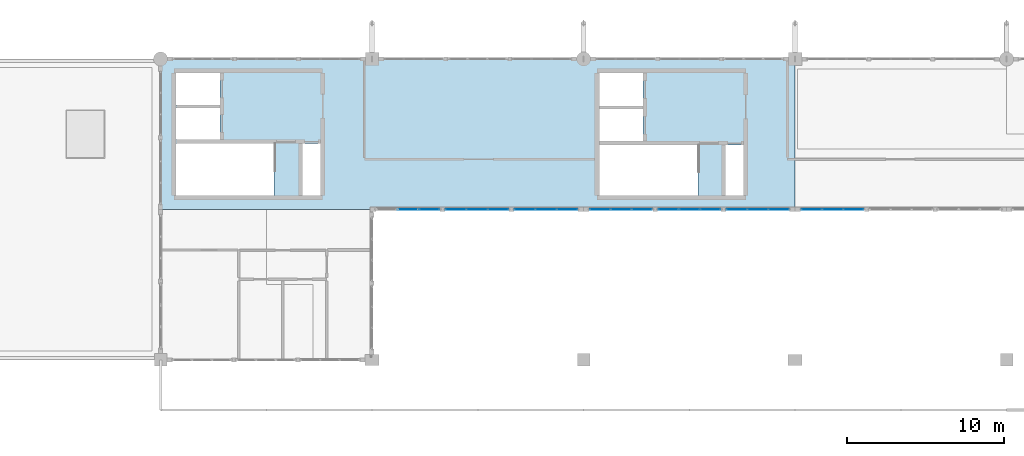
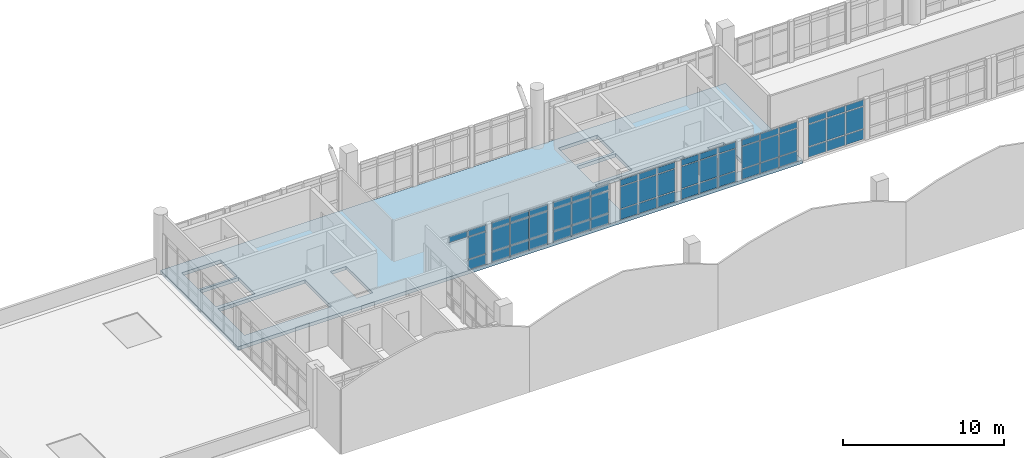
# One storey, part 25 of 37: 58 plates, 1 slab, 7 elements without a shape of their own.
"""IFC4 building model written with IfcOpenShell, lengths in metres."""

from ifc_helpers import new_model, si_unit, direction, frame, origin, origin_2d, place, context, subcontext, project, spatial, polyline, rectangle, outline, extrude, material, layer, layer_set, type_object, element, aggregate, save


model = new_model("IFC4")

# Units and contexts
model_context = context("Model", 3, precision=1e-05, world=origin(), true_north=direction((0.0, 1.0)))
body_context = subcontext(model_context, "Body", "Model", "MODEL_VIEW")
ifc_project = project(units=[si_unit("LENGTHUNIT", "METRE"), si_unit("AREAUNIT", "SQUARE_METRE"), si_unit("VOLUMEUNIT", "CUBIC_METRE"), si_unit("PLANEANGLEUNIT", "RADIAN"), si_unit("MASSUNIT", "GRAM", prefix="KILO")], contexts=[model_context])

# Site, building, storey
site_placement = place(None, origin())
site = spatial("IfcSite", under=ifc_project, at=site_placement, CompositionType="ELEMENT")
building_placement = place(site_placement, origin())
building = spatial("IfcBuilding", under=site, at=building_placement, Name="Fikremerkos Civic Library", CompositionType="ELEMENT")
storey_placement = place(building_placement, frame((0.0, 0.0, 23.39990234375)))
storey = spatial("IfcBuildingStorey", under=building, at=storey_placement, Name="L05", CompositionType="ELEMENT", Elevation=23.39990234375)

# Curtain wall, plates
ifc_material_1 = material(Name="Anodized aluminium Frame", Category="aluminium")
ifc_layer_1 = layer(ifc_material_1, 0.159912109375, Name="Anodized aluminium Frame")
ifc_layer_set_1 = layer_set([ifc_layer_1], Name="Anodized aluminium Frame")
curtain_wall_type_1 = type_object("IfcCurtainWallType", Name="Unitised curtain wall CW-05 3800x4100", PredefinedType="USERDEFINED", material=ifc_layer_set_1)
curtain_wall_1_placement = place(storey_placement, origin())
curtain_wall_1 = element("IfcCurtainWall", 1, at=curtain_wall_1_placement, inside=storey, type_object=curtain_wall_type_1, Name="Unitised curtain wall CW-05 L05 #293", ObjectType="UNITISED CURTAIN WALL", PredefinedType="USERDEFINED")
ifc_material_2 = material(Name="Solar control double glazing", Category="glass")
ifc_layer_2 = layer(ifc_material_2, 0.028076171875, Name="Solar control double glazing")
ifc_layer_set_2 = layer_set([ifc_layer_2], Name="Solar control double glazing")
plate_type_1 = type_object("IfcPlateType", Name="Curtain glazing panel CWP-01 28", PredefinedType="CURTAIN_PANEL", material=ifc_layer_set_2)
plate_1_placement = place(storey_placement, frame((54.288818359375, 21.60009765625, 0.06005859375), z_axis=(0.0, 0.0, 1.0), x_axis=(-1.0, 0.0, 0.0)))
plate_1 = element("IfcPlate", 2, at=plate_1_placement, type_object=plate_type_1, Name="CW-05 panel 1.1", PredefinedType="CURTAIN_PANEL", context=body_context, shape_type="SweptSolid", body=[
    extrude(rectangle(XDim=1.257568359375, YDim=0.028076171875, at=origin_2d()), origin(), (0.0, 0.0, 1.0), 0.760009765625),
])
plate_2_placement = place(storey_placement, frame((54.288818359375, 21.60009765625, 0.88037109375), z_axis=(0.0, 0.0, 1.0), x_axis=(-1.0, 0.0, 0.0)))
plate_2 = element("IfcPlate", 3, at=plate_2_placement, type_object=plate_type_1, Name="CW-05 panel 1.2", PredefinedType="CURTAIN_PANEL", context=body_context, shape_type="SweptSolid", body=[
    extrude(rectangle(XDim=1.257568359375, YDim=0.028076171875, at=origin_2d()), origin(), (0.0, 0.0, 1.0), 1.659912109375),
])
plate_3_placement = place(storey_placement, frame((54.288818359375, 21.60009765625, 2.60009765625), z_axis=(0.0, 0.0, 1.0), x_axis=(-1.0, 0.0, 0.0)))
plate_3 = element("IfcPlate", 4, at=plate_3_placement, type_object=plate_type_1, Name="CW-05 panel 1.3", PredefinedType="CURTAIN_PANEL", context=body_context, shape_type="SweptSolid", body=[
    extrude(rectangle(XDim=1.257568359375, YDim=0.028076171875, at=origin_2d()), origin(), (0.0, 0.0, 1.0), 0.4599609375),
])
plate_4_placement = place(storey_placement, frame((52.949951171875, 21.60009765625, 0.06005859375), z_axis=(0.0, 0.0, 1.0), x_axis=(-1.0, 0.0, 0.0)))
plate_4 = element("IfcPlate", 5, at=plate_4_placement, type_object=plate_type_1, Name="CW-05 panel 2.1", PredefinedType="CURTAIN_PANEL", context=body_context, shape_type="SweptSolid", body=[
    extrude(rectangle(XDim=1.2900390625, YDim=0.028076171875, at=origin_2d()), origin(), (0.0, 0.0, 1.0), 0.760009765625),
])
plate_5_placement = place(storey_placement, frame((52.949951171875, 21.60009765625, 0.88037109375), z_axis=(0.0, 0.0, 1.0), x_axis=(-1.0, 0.0, 0.0)))
plate_5 = element("IfcPlate", 6, at=plate_5_placement, type_object=plate_type_1, Name="CW-05 panel 2.2", PredefinedType="CURTAIN_PANEL", context=body_context, shape_type="SweptSolid", body=[
    extrude(rectangle(XDim=1.2900390625, YDim=0.028076171875, at=origin_2d()), origin(), (0.0, 0.0, 1.0), 1.659912109375),
])
plate_6_placement = place(storey_placement, frame((52.949951171875, 21.60009765625, 2.60009765625), z_axis=(0.0, 0.0, 1.0), x_axis=(-1.0, 0.0, 0.0)))
plate_6 = element("IfcPlate", 7, at=plate_6_placement, type_object=plate_type_1, Name="CW-05 panel 2.3", PredefinedType="CURTAIN_PANEL", context=body_context, shape_type="SweptSolid", body=[
    extrude(rectangle(XDim=1.2900390625, YDim=0.028076171875, at=origin_2d()), origin(), (0.0, 0.0, 1.0), 0.4599609375),
])
plate_7_placement = place(storey_placement, frame((51.611083984375, 21.60009765625, 0.06005859375), z_axis=(0.0, 0.0, 1.0), x_axis=(-1.0, 0.0, 0.0)))
plate_7 = element("IfcPlate", 8, at=plate_7_placement, type_object=plate_type_1, Name="CW-05 panel 3.1", PredefinedType="CURTAIN_PANEL", context=body_context, shape_type="SweptSolid", body=[
    extrude(rectangle(XDim=1.257568359375, YDim=0.028076171875, at=origin_2d()), origin(), (0.0, 0.0, 1.0), 0.760009765625),
])
plate_8_placement = place(storey_placement, frame((51.611083984375, 21.60009765625, 0.88037109375), z_axis=(0.0, 0.0, 1.0), x_axis=(-1.0, 0.0, 0.0)))
plate_8 = element("IfcPlate", 9, at=plate_8_placement, type_object=plate_type_1, Name="CW-05 panel 3.2", PredefinedType="CURTAIN_PANEL", context=body_context, shape_type="SweptSolid", body=[
    extrude(rectangle(XDim=1.257568359375, YDim=0.028076171875, at=origin_2d()), origin(), (0.0, 0.0, 1.0), 1.659912109375),
])
plate_9_placement = place(storey_placement, frame((51.611083984375, 21.60009765625, 2.60009765625), z_axis=(0.0, 0.0, 1.0), x_axis=(-1.0, 0.0, 0.0)))
plate_9 = element("IfcPlate", 10, at=plate_9_placement, type_object=plate_type_1, Name="CW-05 panel 3.3", PredefinedType="CURTAIN_PANEL", context=body_context, shape_type="SweptSolid", body=[
    extrude(rectangle(XDim=1.257568359375, YDim=0.028076171875, at=origin_2d()), origin(), (0.0, 0.0, 1.0), 0.4599609375),
])
aggregate(curtain_wall_1, [plate_1, plate_2, plate_3, plate_4, plate_5, plate_6, plate_7, plate_8, plate_9])

ifc_layer_3 = layer(ifc_material_1, 0.159912109375, Name="Anodized aluminium Frame")
ifc_layer_set_3 = layer_set([ifc_layer_3], Name="Anodized aluminium Frame")
curtain_wall_type_2 = type_object("IfcCurtainWallType", Name="Unitised curtain wall CW-09 3600x3400", PredefinedType="USERDEFINED", material=ifc_layer_set_3)
curtain_wall_2_placement = place(storey_placement, origin())
curtain_wall_2 = element("IfcCurtainWall", 11, at=curtain_wall_2_placement, inside=storey, type_object=curtain_wall_type_2, Name="Unitised curtain wall CW-09 L05 #297", ObjectType="UNITISED CURTAIN WALL", PredefinedType="USERDEFINED")
plate_10_placement = place(storey_placement, frame((36.342529296875, 21.60009765625, 0.070068359375), z_axis=(0.0, 0.0, 1.0), x_axis=(-1.0, 0.0, 0.0)))
plate_10 = element("IfcPlate", 12, at=plate_10_placement, type_object=plate_type_1, Name="CW-09 panel 1.1", PredefinedType="CURTAIN_PANEL", context=body_context, shape_type="SweptSolid", body=[
    extrude(rectangle(XDim=1.27001953125, YDim=0.028076171875, at=origin_2d()), origin(), (0.0, 0.0, 1.0), 0.7451171875),
])
plate_11_placement = place(storey_placement, frame((36.342529296875, 21.60009765625, 0.88525390625), z_axis=(0.0, 0.0, 1.0), x_axis=(-1.0, 0.0, 0.0)))
plate_11 = element("IfcPlate", 13, at=plate_11_placement, type_object=plate_type_1, Name="CW-09 panel 1.2", PredefinedType="CURTAIN_PANEL", context=body_context, shape_type="SweptSolid", body=[
    extrude(rectangle(XDim=1.27001953125, YDim=0.028076171875, at=origin_2d()), origin(), (0.0, 0.0, 1.0), 1.64990234375),
])
plate_12_placement = place(storey_placement, frame((36.342529296875, 21.60009765625, 2.60498046875), z_axis=(0.0, 0.0, 1.0), x_axis=(-1.0, 0.0, 0.0)))
plate_12 = element("IfcPlate", 14, at=plate_12_placement, type_object=plate_type_1, Name="CW-09 panel 1.3", PredefinedType="CURTAIN_PANEL", context=body_context, shape_type="SweptSolid", body=[
    extrude(rectangle(XDim=1.27001953125, YDim=0.028076171875, at=origin_2d()), origin(), (0.0, 0.0, 1.0), 0.445068359375),
])
plate_13_placement = place(storey_placement, frame((34.991455078125, 21.60009765625, 2.60498046875), z_axis=(0.0, 0.0, 1.0), x_axis=(-1.0, 0.0, 0.0)))
plate_13 = element("IfcPlate", 15, at=plate_13_placement, type_object=plate_type_1, Name="CW-09 panel 2.3", PredefinedType="CURTAIN_PANEL", context=body_context, shape_type="SweptSolid", body=[
    extrude(rectangle(XDim=1.302490234375, YDim=0.028076171875, at=origin_2d()), origin(), (0.0, 0.0, 1.0), 0.445068359375),
])
aggregate(curtain_wall_2, [plate_10, plate_11, plate_12, plate_13])

ifc_layer_4 = layer(ifc_material_1, 0.159912109375, Name="Anodized aluminium Frame")
ifc_layer_set_4 = layer_set([ifc_layer_4], Name="Anodized aluminium Frame")
curtain_wall_type_3 = type_object("IfcCurtainWallType", Name="Unitised curtain wall CW-06 4200x4100", PredefinedType="USERDEFINED", material=ifc_layer_set_4)
curtain_wall_3_placement = place(storey_placement, origin())
curtain_wall_3 = element("IfcCurtainWall", 16, at=curtain_wall_3_placement, inside=storey, type_object=curtain_wall_type_3, Name="Unitised curtain wall CW-06 L05 #294", ObjectType="UNITISED CURTAIN WALL", PredefinedType="USERDEFINED")
ifc_layer_5 = layer(ifc_material_2, 0.035888671875, Name="Solar control double glazing")
ifc_layer_set_5 = layer_set([ifc_layer_5], Name="Solar control double glazing")
plate_type_2 = type_object("IfcPlateType", Name="Curtain glazing panel CWP-02 36", PredefinedType="CURTAIN_PANEL", material=ifc_layer_set_5)
plate_14_placement = place(storey_placement, frame((49.9248046875, 21.60009765625, 0.06005859375), z_axis=(0.0, 0.0, 1.0), x_axis=(-1.0, 0.0, 0.0)))
plate_14 = element("IfcPlate", 17, at=plate_14_placement, type_object=plate_type_2, Name="CW-06 panel 1.1", PredefinedType="CURTAIN_PANEL", context=body_context, shape_type="SweptSolid", body=[
    extrude(rectangle(XDim=1.26513671875, YDim=0.035888671875, at=origin_2d()), origin(), (0.0, 0.0, 1.0), 0.760009765625),
])
plate_15_placement = place(storey_placement, frame((49.9248046875, 21.60009765625, 0.88037109375), z_axis=(0.0, 0.0, 1.0), x_axis=(-1.0, 0.0, 0.0)))
plate_15 = element("IfcPlate", 18, at=plate_15_placement, type_object=plate_type_2, Name="CW-06 panel 1.2", PredefinedType="CURTAIN_PANEL", context=body_context, shape_type="SweptSolid", body=[
    extrude(rectangle(XDim=1.26513671875, YDim=0.035888671875, at=origin_2d()), origin(), (0.0, 0.0, 1.0), 1.659912109375),
])
plate_16_placement = place(storey_placement, frame((49.9248046875, 21.60009765625, 2.60009765625), z_axis=(0.0, 0.0, 1.0), x_axis=(-1.0, 0.0, 0.0)))
plate_16 = element("IfcPlate", 19, at=plate_16_placement, type_object=plate_type_2, Name="CW-06 panel 1.3", PredefinedType="CURTAIN_PANEL", context=body_context, shape_type="SweptSolid", body=[
    extrude(rectangle(XDim=1.26513671875, YDim=0.035888671875, at=origin_2d()), origin(), (0.0, 0.0, 1.0), 0.4599609375),
])
plate_17_placement = place(storey_placement, frame((48.584716796875, 21.60009765625, 0.06005859375), z_axis=(0.0, 0.0, 1.0), x_axis=(-1.0, 0.0, 0.0)))
plate_17 = element("IfcPlate", 20, at=plate_17_placement, type_object=plate_type_2, Name="CW-06 panel 2.1", PredefinedType="CURTAIN_PANEL", context=body_context, shape_type="SweptSolid", body=[
    extrude(rectangle(XDim=1.295166015625, YDim=0.035888671875, at=origin_2d()), origin(), (0.0, 0.0, 1.0), 0.760009765625),
])
plate_18_placement = place(storey_placement, frame((48.584716796875, 21.60009765625, 0.88037109375), z_axis=(0.0, 0.0, 1.0), x_axis=(-1.0, 0.0, 0.0)))
plate_18 = element("IfcPlate", 21, at=plate_18_placement, type_object=plate_type_2, Name="CW-06 panel 2.2", PredefinedType="CURTAIN_PANEL", context=body_context, shape_type="SweptSolid", body=[
    extrude(rectangle(XDim=1.295166015625, YDim=0.035888671875, at=origin_2d()), origin(), (0.0, 0.0, 1.0), 1.659912109375),
])
plate_19_placement = place(storey_placement, frame((48.584716796875, 21.60009765625, 2.60009765625), z_axis=(0.0, 0.0, 1.0), x_axis=(-1.0, 0.0, 0.0)))
plate_19 = element("IfcPlate", 22, at=plate_19_placement, type_object=plate_type_2, Name="CW-06 panel 2.3", PredefinedType="CURTAIN_PANEL", context=body_context, shape_type="SweptSolid", body=[
    extrude(rectangle(XDim=1.295166015625, YDim=0.035888671875, at=origin_2d()), origin(), (0.0, 0.0, 1.0), 0.4599609375),
])
plate_20_placement = place(storey_placement, frame((47.24462890625, 21.60009765625, 0.06005859375), z_axis=(0.0, 0.0, 1.0), x_axis=(-1.0, 0.0, 0.0)))
plate_20 = element("IfcPlate", 23, at=plate_20_placement, type_object=plate_type_2, Name="CW-06 panel 3.1", PredefinedType="CURTAIN_PANEL", context=body_context, shape_type="SweptSolid", body=[
    extrude(rectangle(XDim=1.26513671875, YDim=0.035888671875, at=origin_2d()), origin(), (0.0, 0.0, 1.0), 0.760009765625),
])
plate_21_placement = place(storey_placement, frame((47.24462890625, 21.60009765625, 0.88037109375), z_axis=(0.0, 0.0, 1.0), x_axis=(-1.0, 0.0, 0.0)))
plate_21 = element("IfcPlate", 24, at=plate_21_placement, type_object=plate_type_2, Name="CW-06 panel 3.2", PredefinedType="CURTAIN_PANEL", context=body_context, shape_type="SweptSolid", body=[
    extrude(rectangle(XDim=1.26513671875, YDim=0.035888671875, at=origin_2d()), origin(), (0.0, 0.0, 1.0), 1.659912109375),
])
plate_22_placement = place(storey_placement, frame((47.24462890625, 21.60009765625, 2.60009765625), z_axis=(0.0, 0.0, 1.0), x_axis=(-1.0, 0.0, 0.0)))
plate_22 = element("IfcPlate", 25, at=plate_22_placement, type_object=plate_type_2, Name="CW-06 panel 3.3", PredefinedType="CURTAIN_PANEL", context=body_context, shape_type="SweptSolid", body=[
    extrude(rectangle(XDim=1.26513671875, YDim=0.035888671875, at=origin_2d()), origin(), (0.0, 0.0, 1.0), 0.4599609375),
])
aggregate(curtain_wall_3, [plate_14, plate_15, plate_16, plate_17, plate_18, plate_19, plate_20, plate_21, plate_22])

ifc_layer_6 = layer(ifc_material_1, 0.159912109375, Name="Anodized aluminium Frame")
ifc_layer_set_6 = layer_set([ifc_layer_6], Name="Anodized aluminium Frame")
curtain_wall_type_4 = type_object("IfcCurtainWallType", Name="Unitised curtain wall CW-03 4100x3600", PredefinedType="USERDEFINED", material=ifc_layer_set_6)
curtain_wall_4_placement = place(storey_placement, origin())
curtain_wall_4 = element("IfcCurtainWall", 26, at=curtain_wall_4_placement, inside=storey, type_object=curtain_wall_type_4, Name="Unitised curtain wall CW-03 L05 #291", ObjectType="UNITISED CURTAIN WALL", PredefinedType="USERDEFINED")
ifc_material_3 = material(Name="Insulated aluminium spandrel", Category="aluminium")
ifc_layer_7 = layer(ifc_material_3, 0.044921875, Name="Insulated aluminium spandrel")
ifc_layer_set_7 = layer_set([ifc_layer_7], Name="Insulated aluminium spandrel")
plate_type_3 = type_object("IfcPlateType", Name="Curtain spandrel panel CSP-01 45", PredefinedType="CURTAIN_PANEL", material=ifc_layer_set_7)
plate_23_placement = place(storey_placement, frame((63.4248046875, 21.60009765625, 0.065185546875), z_axis=(0.0, 0.0, 1.0), x_axis=(-1.0, 0.0, 0.0)))
plate_23 = element("IfcPlate", 27, at=plate_23_placement, type_object=plate_type_3, Name="CW-03 panel 1.1", PredefinedType="CURTAIN_PANEL", context=body_context, shape_type="SweptSolid", body=[
    extrude(rectangle(XDim=1.26513671875, YDim=0.044921875, at=origin_2d()), origin(), (0.0, 0.0, 1.0), 0.75244140625),
])
plate_24_placement = place(storey_placement, frame((63.4248046875, 21.60009765625, 0.8828125), z_axis=(0.0, 0.0, 1.0), x_axis=(-1.0, 0.0, 0.0)))
plate_24 = element("IfcPlate", 28, at=plate_24_placement, type_object=plate_type_3, Name="CW-03 panel 1.2", PredefinedType="CURTAIN_PANEL", context=body_context, shape_type="SweptSolid", body=[
    extrude(rectangle(XDim=1.26513671875, YDim=0.044921875, at=origin_2d()), origin(), (0.0, 0.0, 1.0), 1.655029296875),
])
plate_25_placement = place(storey_placement, frame((63.4248046875, 21.60009765625, 2.6025390625), z_axis=(0.0, 0.0, 1.0), x_axis=(-1.0, 0.0, 0.0)))
plate_25 = element("IfcPlate", 29, at=plate_25_placement, type_object=plate_type_3, Name="CW-03 panel 1.3", PredefinedType="CURTAIN_PANEL", context=body_context, shape_type="SweptSolid", body=[
    extrude(rectangle(XDim=1.26513671875, YDim=0.044921875, at=origin_2d()), origin(), (0.0, 0.0, 1.0), 0.452392578125),
])
plate_26_placement = place(storey_placement, frame((62.084716796875, 21.60009765625, 0.065185546875), z_axis=(0.0, 0.0, 1.0), x_axis=(-1.0, 0.0, 0.0)))
plate_26 = element("IfcPlate", 30, at=plate_26_placement, type_object=plate_type_3, Name="CW-03 panel 2.1", PredefinedType="CURTAIN_PANEL", context=body_context, shape_type="SweptSolid", body=[
    extrude(rectangle(XDim=1.295166015625, YDim=0.044921875, at=origin_2d()), origin(), (0.0, 0.0, 1.0), 0.75244140625),
])
plate_27_placement = place(storey_placement, frame((62.084716796875, 21.60009765625, 0.8828125), z_axis=(0.0, 0.0, 1.0), x_axis=(-1.0, 0.0, 0.0)))
plate_27 = element("IfcPlate", 31, at=plate_27_placement, type_object=plate_type_3, Name="CW-03 panel 2.2", PredefinedType="CURTAIN_PANEL", context=body_context, shape_type="SweptSolid", body=[
    extrude(rectangle(XDim=1.295166015625, YDim=0.044921875, at=origin_2d()), origin(), (0.0, 0.0, 1.0), 1.655029296875),
])
plate_28_placement = place(storey_placement, frame((62.084716796875, 21.60009765625, 2.6025390625), z_axis=(0.0, 0.0, 1.0), x_axis=(-1.0, 0.0, 0.0)))
plate_28 = element("IfcPlate", 32, at=plate_28_placement, type_object=plate_type_3, Name="CW-03 panel 2.3", PredefinedType="CURTAIN_PANEL", context=body_context, shape_type="SweptSolid", body=[
    extrude(rectangle(XDim=1.295166015625, YDim=0.044921875, at=origin_2d()), origin(), (0.0, 0.0, 1.0), 0.452392578125),
])
plate_29_placement = place(storey_placement, frame((60.74462890625, 21.60009765625, 0.065185546875), z_axis=(0.0, 0.0, 1.0), x_axis=(-1.0, 0.0, 0.0)))
plate_29 = element("IfcPlate", 33, at=plate_29_placement, type_object=plate_type_3, Name="CW-03 panel 3.1", PredefinedType="CURTAIN_PANEL", context=body_context, shape_type="SweptSolid", body=[
    extrude(rectangle(XDim=1.26513671875, YDim=0.044921875, at=origin_2d()), origin(), (0.0, 0.0, 1.0), 0.75244140625),
])
plate_30_placement = place(storey_placement, frame((60.74462890625, 21.60009765625, 0.8828125), z_axis=(0.0, 0.0, 1.0), x_axis=(-1.0, 0.0, 0.0)))
plate_30 = element("IfcPlate", 34, at=plate_30_placement, type_object=plate_type_3, Name="CW-03 panel 3.2", PredefinedType="CURTAIN_PANEL", context=body_context, shape_type="SweptSolid", body=[
    extrude(rectangle(XDim=1.26513671875, YDim=0.044921875, at=origin_2d()), origin(), (0.0, 0.0, 1.0), 1.655029296875),
])
plate_31_placement = place(storey_placement, frame((60.74462890625, 21.60009765625, 2.6025390625), z_axis=(0.0, 0.0, 1.0), x_axis=(-1.0, 0.0, 0.0)))
plate_31 = element("IfcPlate", 35, at=plate_31_placement, type_object=plate_type_3, Name="CW-03 panel 3.3", PredefinedType="CURTAIN_PANEL", context=body_context, shape_type="SweptSolid", body=[
    extrude(rectangle(XDim=1.26513671875, YDim=0.044921875, at=origin_2d()), origin(), (0.0, 0.0, 1.0), 0.452392578125),
])
aggregate(curtain_wall_4, [plate_23, plate_24, plate_25, plate_26, plate_27, plate_28, plate_29, plate_30, plate_31])

ifc_layer_8 = layer(ifc_material_1, 0.159912109375, Name="Anodized aluminium Frame")
ifc_layer_set_8 = layer_set([ifc_layer_8], Name="Anodized aluminium Frame")
curtain_wall_type_5 = type_object("IfcCurtainWallType", Name="Unitised curtain wall CW-07 3500x4100", PredefinedType="USERDEFINED", material=ifc_layer_set_8)
curtain_wall_5_placement = place(storey_placement, origin())
curtain_wall_5 = element("IfcCurtainWall", 36, at=curtain_wall_5_placement, inside=storey, type_object=curtain_wall_type_5, Name="Unitised curtain wall CW-07 L05 #295", ObjectType="UNITISED CURTAIN WALL", PredefinedType="USERDEFINED")
plate_32_placement = place(storey_placement, frame((45.149169921875, 21.60009765625, 0.070068359375), z_axis=(0.0, 0.0, 1.0), x_axis=(-1.0, 0.0, 0.0)))
plate_32 = element("IfcPlate", 37, at=plate_32_placement, type_object=plate_type_3, Name="CW-07 panel 1.1", PredefinedType="CURTAIN_PANEL", context=body_context, shape_type="SweptSolid", body=[
    extrude(rectangle(XDim=1.277587890625, YDim=0.044921875, at=origin_2d()), origin(), (0.0, 0.0, 1.0), 0.7451171875),
])
plate_33_placement = place(storey_placement, frame((45.149169921875, 21.60009765625, 0.88525390625), z_axis=(0.0, 0.0, 1.0), x_axis=(-1.0, 0.0, 0.0)))
plate_33 = element("IfcPlate", 38, at=plate_33_placement, type_object=plate_type_3, Name="CW-07 panel 1.2", PredefinedType="CURTAIN_PANEL", context=body_context, shape_type="SweptSolid", body=[
    extrude(rectangle(XDim=1.277587890625, YDim=0.044921875, at=origin_2d()), origin(), (0.0, 0.0, 1.0), 1.64990234375),
])
plate_34_placement = place(storey_placement, frame((45.149169921875, 21.60009765625, 2.60498046875), z_axis=(0.0, 0.0, 1.0), x_axis=(-1.0, 0.0, 0.0)))
plate_34 = element("IfcPlate", 39, at=plate_34_placement, type_object=plate_type_3, Name="CW-07 panel 1.3", PredefinedType="CURTAIN_PANEL", context=body_context, shape_type="SweptSolid", body=[
    extrude(rectangle(XDim=1.277587890625, YDim=0.044921875, at=origin_2d()), origin(), (0.0, 0.0, 1.0), 0.445068359375),
])
plate_35_placement = place(storey_placement, frame((43.796630859375, 21.60009765625, 0.070068359375), z_axis=(0.0, 0.0, 1.0), x_axis=(-1.0, 0.0, 0.0)))
plate_35 = element("IfcPlate", 40, at=plate_35_placement, type_object=plate_type_3, Name="CW-07 panel 2.1", PredefinedType="CURTAIN_PANEL", context=body_context, shape_type="SweptSolid", body=[
    extrude(rectangle(XDim=1.3076171875, YDim=0.044921875, at=origin_2d()), origin(), (0.0, 0.0, 1.0), 0.7451171875),
])
plate_36_placement = place(storey_placement, frame((43.796630859375, 21.60009765625, 0.88525390625), z_axis=(0.0, 0.0, 1.0), x_axis=(-1.0, 0.0, 0.0)))
plate_36 = element("IfcPlate", 41, at=plate_36_placement, type_object=plate_type_3, Name="CW-07 panel 2.2", PredefinedType="CURTAIN_PANEL", context=body_context, shape_type="SweptSolid", body=[
    extrude(rectangle(XDim=1.3076171875, YDim=0.044921875, at=origin_2d()), origin(), (0.0, 0.0, 1.0), 1.64990234375),
])
plate_37_placement = place(storey_placement, frame((43.796630859375, 21.60009765625, 2.60498046875), z_axis=(0.0, 0.0, 1.0), x_axis=(-1.0, 0.0, 0.0)))
plate_37 = element("IfcPlate", 42, at=plate_37_placement, type_object=plate_type_3, Name="CW-07 panel 2.3", PredefinedType="CURTAIN_PANEL", context=body_context, shape_type="SweptSolid", body=[
    extrude(rectangle(XDim=1.3076171875, YDim=0.044921875, at=origin_2d()), origin(), (0.0, 0.0, 1.0), 0.445068359375),
])
plate_38_placement = place(storey_placement, frame((42.444091796875, 21.60009765625, 0.070068359375), z_axis=(0.0, 0.0, 1.0), x_axis=(-1.0, 0.0, 0.0)))
plate_38 = element("IfcPlate", 43, at=plate_38_placement, type_object=plate_type_3, Name="CW-07 panel 3.1", PredefinedType="CURTAIN_PANEL", context=body_context, shape_type="SweptSolid", body=[
    extrude(rectangle(XDim=1.277587890625, YDim=0.044921875, at=origin_2d()), origin(), (0.0, 0.0, 1.0), 0.7451171875),
])
plate_39_placement = place(storey_placement, frame((42.444091796875, 21.60009765625, 0.88525390625), z_axis=(0.0, 0.0, 1.0), x_axis=(-1.0, 0.0, 0.0)))
plate_39 = element("IfcPlate", 44, at=plate_39_placement, type_object=plate_type_3, Name="CW-07 panel 3.2", PredefinedType="CURTAIN_PANEL", context=body_context, shape_type="SweptSolid", body=[
    extrude(rectangle(XDim=1.277587890625, YDim=0.044921875, at=origin_2d()), origin(), (0.0, 0.0, 1.0), 1.64990234375),
])
plate_40_placement = place(storey_placement, frame((42.444091796875, 21.60009765625, 2.60498046875), z_axis=(0.0, 0.0, 1.0), x_axis=(-1.0, 0.0, 0.0)))
plate_40 = element("IfcPlate", 45, at=plate_40_placement, type_object=plate_type_3, Name="CW-07 panel 3.3", PredefinedType="CURTAIN_PANEL", context=body_context, shape_type="SweptSolid", body=[
    extrude(rectangle(XDim=1.277587890625, YDim=0.044921875, at=origin_2d()), origin(), (0.0, 0.0, 1.0), 0.445068359375),
])
aggregate(curtain_wall_5, [plate_32, plate_33, plate_34, plate_35, plate_36, plate_37, plate_38, plate_39, plate_40])

ifc_layer_9 = layer(ifc_material_1, 0.159912109375, Name="Anodized aluminium Frame")
ifc_layer_set_9 = layer_set([ifc_layer_9], Name="Anodized aluminium Frame")
curtain_wall_type_6 = type_object("IfcCurtainWallType", Name="Unitised curtain wall CW-04 3400x3600", PredefinedType="USERDEFINED", material=ifc_layer_set_9)
curtain_wall_6_placement = place(storey_placement, origin())
curtain_wall_6 = element("IfcCurtainWall", 46, at=curtain_wall_6_placement, inside=storey, type_object=curtain_wall_type_6, Name="Unitised curtain wall CW-04 L05 #292", ObjectType="UNITISED CURTAIN WALL", PredefinedType="USERDEFINED")
ifc_layer_10 = layer(ifc_material_3, 0.054931640625, Name="Insulated aluminium spandrel")
ifc_layer_set_10 = layer_set([ifc_layer_10], Name="Insulated aluminium spandrel")
plate_type_4 = type_object("IfcPlateType", Name="Curtain spandrel panel CSP-02 55", PredefinedType="CURTAIN_PANEL", material=ifc_layer_set_10)
plate_41_placement = place(storey_placement, frame((58.655517578125, 21.60009765625, 0.065185546875), z_axis=(0.0, 0.0, 1.0), x_axis=(-1.0, 0.0, 0.0)))
plate_41 = element("IfcPlate", 47, at=plate_41_placement, type_object=plate_type_4, Name="CW-04 panel 1.1", PredefinedType="CURTAIN_PANEL", context=body_context, shape_type="SweptSolid", body=[
    extrude(rectangle(XDim=1.26513671875, YDim=0.054931640625, at=origin_2d()), origin(), (0.0, 0.0, 1.0), 0.75244140625),
])
plate_42_placement = place(storey_placement, frame((58.655517578125, 21.60009765625, 0.8828125), z_axis=(0.0, 0.0, 1.0), x_axis=(-1.0, 0.0, 0.0)))
plate_42 = element("IfcPlate", 48, at=plate_42_placement, type_object=plate_type_4, Name="CW-04 panel 1.2", PredefinedType="CURTAIN_PANEL", context=body_context, shape_type="SweptSolid", body=[
    extrude(rectangle(XDim=1.26513671875, YDim=0.054931640625, at=origin_2d()), origin(), (0.0, 0.0, 1.0), 1.655029296875),
])
plate_43_placement = place(storey_placement, frame((58.655517578125, 21.60009765625, 2.6025390625), z_axis=(0.0, 0.0, 1.0), x_axis=(-1.0, 0.0, 0.0)))
plate_43 = element("IfcPlate", 49, at=plate_43_placement, type_object=plate_type_4, Name="CW-04 panel 1.3", PredefinedType="CURTAIN_PANEL", context=body_context, shape_type="SweptSolid", body=[
    extrude(rectangle(XDim=1.26513671875, YDim=0.054931640625, at=origin_2d()), origin(), (0.0, 0.0, 1.0), 0.452392578125),
])
plate_44_placement = place(storey_placement, frame((57.3154296875, 21.60009765625, 0.065185546875), z_axis=(0.0, 0.0, 1.0), x_axis=(-1.0, 0.0, 0.0)))
plate_44 = element("IfcPlate", 50, at=plate_44_placement, type_object=plate_type_4, Name="CW-04 panel 2.1", PredefinedType="CURTAIN_PANEL", context=body_context, shape_type="SweptSolid", body=[
    extrude(rectangle(XDim=1.295166015625, YDim=0.054931640625, at=origin_2d()), origin(), (0.0, 0.0, 1.0), 0.75244140625),
])
plate_45_placement = place(storey_placement, frame((57.3154296875, 21.60009765625, 0.8828125), z_axis=(0.0, 0.0, 1.0), x_axis=(-1.0, 0.0, 0.0)))
plate_45 = element("IfcPlate", 51, at=plate_45_placement, type_object=plate_type_4, Name="CW-04 panel 2.2", PredefinedType="CURTAIN_PANEL", context=body_context, shape_type="SweptSolid", body=[
    extrude(rectangle(XDim=1.295166015625, YDim=0.054931640625, at=origin_2d()), origin(), (0.0, 0.0, 1.0), 1.655029296875),
])
plate_46_placement = place(storey_placement, frame((57.3154296875, 21.60009765625, 2.6025390625), z_axis=(0.0, 0.0, 1.0), x_axis=(-1.0, 0.0, 0.0)))
plate_46 = element("IfcPlate", 52, at=plate_46_placement, type_object=plate_type_4, Name="CW-04 panel 2.3", PredefinedType="CURTAIN_PANEL", context=body_context, shape_type="SweptSolid", body=[
    extrude(rectangle(XDim=1.295166015625, YDim=0.054931640625, at=origin_2d()), origin(), (0.0, 0.0, 1.0), 0.452392578125),
])
plate_47_placement = place(storey_placement, frame((55.975341796875, 21.60009765625, 0.065185546875), z_axis=(0.0, 0.0, 1.0), x_axis=(-1.0, 0.0, 0.0)))
plate_47 = element("IfcPlate", 53, at=plate_47_placement, type_object=plate_type_4, Name="CW-04 panel 3.1", PredefinedType="CURTAIN_PANEL", context=body_context, shape_type="SweptSolid", body=[
    extrude(rectangle(XDim=1.26513671875, YDim=0.054931640625, at=origin_2d()), origin(), (0.0, 0.0, 1.0), 0.75244140625),
])
plate_48_placement = place(storey_placement, frame((55.975341796875, 21.60009765625, 0.8828125), z_axis=(0.0, 0.0, 1.0), x_axis=(-1.0, 0.0, 0.0)))
plate_48 = element("IfcPlate", 54, at=plate_48_placement, type_object=plate_type_4, Name="CW-04 panel 3.2", PredefinedType="CURTAIN_PANEL", context=body_context, shape_type="SweptSolid", body=[
    extrude(rectangle(XDim=1.26513671875, YDim=0.054931640625, at=origin_2d()), origin(), (0.0, 0.0, 1.0), 1.655029296875),
])
plate_49_placement = place(storey_placement, frame((55.975341796875, 21.60009765625, 2.6025390625), z_axis=(0.0, 0.0, 1.0), x_axis=(-1.0, 0.0, 0.0)))
plate_49 = element("IfcPlate", 55, at=plate_49_placement, type_object=plate_type_4, Name="CW-04 panel 3.3", PredefinedType="CURTAIN_PANEL", context=body_context, shape_type="SweptSolid", body=[
    extrude(rectangle(XDim=1.26513671875, YDim=0.054931640625, at=origin_2d()), origin(), (0.0, 0.0, 1.0), 0.452392578125),
])
aggregate(curtain_wall_6, [plate_41, plate_42, plate_43, plate_44, plate_45, plate_46, plate_47, plate_48, plate_49])

ifc_layer_11 = layer(ifc_material_1, 0.159912109375, Name="Anodized aluminium Frame")
ifc_layer_set_11 = layer_set([ifc_layer_11], Name="Anodized aluminium Frame")
curtain_wall_type_7 = type_object("IfcCurtainWallType", Name="Unitised curtain wall CW-08 4500x4100", PredefinedType="USERDEFINED", material=ifc_layer_set_11)
curtain_wall_7_placement = place(storey_placement, origin())
curtain_wall_7 = element("IfcCurtainWall", 56, at=curtain_wall_7_placement, inside=storey, type_object=curtain_wall_type_7, Name="Unitised curtain wall CW-08 L05 #296", ObjectType="UNITISED CURTAIN WALL", PredefinedType="USERDEFINED")
plate_50_placement = place(storey_placement, frame((40.74658203125, 21.60009765625, 0.070068359375), z_axis=(0.0, 0.0, 1.0), x_axis=(-1.0, 0.0, 0.0)))
plate_50 = element("IfcPlate", 57, at=plate_50_placement, type_object=plate_type_4, Name="CW-08 panel 1.1", PredefinedType="CURTAIN_PANEL", context=body_context, shape_type="SweptSolid", body=[
    extrude(rectangle(XDim=1.277587890625, YDim=0.054931640625, at=origin_2d()), origin(), (0.0, 0.0, 1.0), 0.7451171875),
])
plate_51_placement = place(storey_placement, frame((40.74658203125, 21.60009765625, 0.88525390625), z_axis=(0.0, 0.0, 1.0), x_axis=(-1.0, 0.0, 0.0)))
plate_51 = element("IfcPlate", 58, at=plate_51_placement, type_object=plate_type_4, Name="CW-08 panel 1.2", PredefinedType="CURTAIN_PANEL", context=body_context, shape_type="SweptSolid", body=[
    extrude(rectangle(XDim=1.277587890625, YDim=0.054931640625, at=origin_2d()), origin(), (0.0, 0.0, 1.0), 1.64990234375),
])
plate_52_placement = place(storey_placement, frame((40.74658203125, 21.60009765625, 2.60498046875), z_axis=(0.0, 0.0, 1.0), x_axis=(-1.0, 0.0, 0.0)))
plate_52 = element("IfcPlate", 59, at=plate_52_placement, type_object=plate_type_4, Name="CW-08 panel 1.3", PredefinedType="CURTAIN_PANEL", context=body_context, shape_type="SweptSolid", body=[
    extrude(rectangle(XDim=1.277587890625, YDim=0.054931640625, at=origin_2d()), origin(), (0.0, 0.0, 1.0), 0.445068359375),
])
plate_53_placement = place(storey_placement, frame((39.39404296875, 21.60009765625, 0.070068359375), z_axis=(0.0, 0.0, 1.0), x_axis=(-1.0, 0.0, 0.0)))
plate_53 = element("IfcPlate", 60, at=plate_53_placement, type_object=plate_type_4, Name="CW-08 panel 2.1", PredefinedType="CURTAIN_PANEL", context=body_context, shape_type="SweptSolid", body=[
    extrude(rectangle(XDim=1.3076171875, YDim=0.054931640625, at=origin_2d()), origin(), (0.0, 0.0, 1.0), 0.7451171875),
])
plate_54_placement = place(storey_placement, frame((39.39404296875, 21.60009765625, 0.88525390625), z_axis=(0.0, 0.0, 1.0), x_axis=(-1.0, 0.0, 0.0)))
plate_54 = element("IfcPlate", 61, at=plate_54_placement, type_object=plate_type_4, Name="CW-08 panel 2.2", PredefinedType="CURTAIN_PANEL", context=body_context, shape_type="SweptSolid", body=[
    extrude(rectangle(XDim=1.3076171875, YDim=0.054931640625, at=origin_2d()), origin(), (0.0, 0.0, 1.0), 1.64990234375),
])
plate_55_placement = place(storey_placement, frame((39.39404296875, 21.60009765625, 2.60498046875), z_axis=(0.0, 0.0, 1.0), x_axis=(-1.0, 0.0, 0.0)))
plate_55 = element("IfcPlate", 62, at=plate_55_placement, type_object=plate_type_4, Name="CW-08 panel 2.3", PredefinedType="CURTAIN_PANEL", context=body_context, shape_type="SweptSolid", body=[
    extrude(rectangle(XDim=1.3076171875, YDim=0.054931640625, at=origin_2d()), origin(), (0.0, 0.0, 1.0), 0.445068359375),
])
plate_56_placement = place(storey_placement, frame((38.04150390625, 21.60009765625, 0.070068359375), z_axis=(0.0, 0.0, 1.0), x_axis=(-1.0, 0.0, 0.0)))
plate_56 = element("IfcPlate", 63, at=plate_56_placement, type_object=plate_type_4, Name="CW-08 panel 3.1", PredefinedType="CURTAIN_PANEL", context=body_context, shape_type="SweptSolid", body=[
    extrude(rectangle(XDim=1.277587890625, YDim=0.054931640625, at=origin_2d()), origin(), (0.0, 0.0, 1.0), 0.7451171875),
])
plate_57_placement = place(storey_placement, frame((38.04150390625, 21.60009765625, 0.88525390625), z_axis=(0.0, 0.0, 1.0), x_axis=(-1.0, 0.0, 0.0)))
plate_57 = element("IfcPlate", 64, at=plate_57_placement, type_object=plate_type_4, Name="CW-08 panel 3.2", PredefinedType="CURTAIN_PANEL", context=body_context, shape_type="SweptSolid", body=[
    extrude(rectangle(XDim=1.277587890625, YDim=0.054931640625, at=origin_2d()), origin(), (0.0, 0.0, 1.0), 1.64990234375),
])
plate_58_placement = place(storey_placement, frame((38.04150390625, 21.60009765625, 2.60498046875), z_axis=(0.0, 0.0, 1.0), x_axis=(-1.0, 0.0, 0.0)))
plate_58 = element("IfcPlate", 65, at=plate_58_placement, type_object=plate_type_4, Name="CW-08 panel 3.3", PredefinedType="CURTAIN_PANEL", context=body_context, shape_type="SweptSolid", body=[
    extrude(rectangle(XDim=1.277587890625, YDim=0.054931640625, at=origin_2d()), origin(), (0.0, 0.0, 1.0), 0.445068359375),
])
aggregate(curtain_wall_7, [plate_50, plate_51, plate_52, plate_53, plate_54, plate_55, plate_56, plate_57, plate_58])

# Slab
ifc_material_4 = material(Name="Concrete C40/50", Category="concrete")
ifc_layer_12 = layer(ifc_material_4, 0.260009765625, Name="Concrete C40/50")
ifc_layer_set_12 = layer_set([ifc_layer_12], Name="Concrete C40/50")
slab_type = type_object("IfcSlabType", Name="Suspended floor slab SFS-05 260", PredefinedType="FLOOR", material=ifc_layer_set_12)
slab_placement = place(storey_placement, frame((0.0, 0.0, -0.260009765625)))
element("IfcSlab", 66, at=slab_placement, inside=storey, type_object=slab_type, Name="Floor slab SFS-05 SLB-L05-V1-N-1", PredefinedType="FLOOR", context=body_context, shape_type="SweptSolid", body=[
    extrude(outline(polyline([(19.199951171875, 21.60009765625), (59.699951171875, 21.60009765625), (59.699951171875, 31.199951171875), (19.199951171875, 31.199951171875), (19.199951171875, 21.60009765625)]), holes=[polyline([(20.199951171875, 22.5), (26.449951171875, 22.5), (26.449951171875, 25.800048828125), (20.199951171875, 25.800048828125), (20.199951171875, 22.5)]), polyline([(20.199951171875, 26.06005859375), (23.0, 26.06005859375), (23.0, 28.10009765625), (20.199951171875, 28.10009765625), (20.199951171875, 26.06005859375)]), polyline([(20.199951171875, 28.260009765625), (23.0, 28.260009765625), (23.0, 30.300048828125), (20.199951171875, 30.300048828125), (20.199951171875, 28.260009765625)]), polyline([(28.260009765625, 22.5), (29.39990234375, 22.5), (29.39990234375, 25.800048828125), (28.260009765625, 25.800048828125), (28.260009765625, 22.5)]), polyline([(47.199951171875, 22.5), (53.5, 22.5), (53.5, 25.699951171875), (47.199951171875, 25.699951171875), (47.199951171875, 22.5)]), polyline([(47.199951171875, 25.9599609375), (50.0, 25.9599609375), (50.0, 28.0), (47.199951171875, 28.0), (47.199951171875, 25.9599609375)]), polyline([(47.199951171875, 28.199951171875), (50.0, 28.199951171875), (50.0, 30.300048828125), (47.199951171875, 30.300048828125), (47.199951171875, 28.199951171875)]), polyline([(55.260009765625, 22.5), (56.39990234375, 22.5), (56.39990234375, 25.699951171875), (55.260009765625, 25.699951171875), (55.260009765625, 22.5)])]), origin(), (0.0, 0.0, 1.0), 0.260009765625),
])

save(model, "model.ifc")
